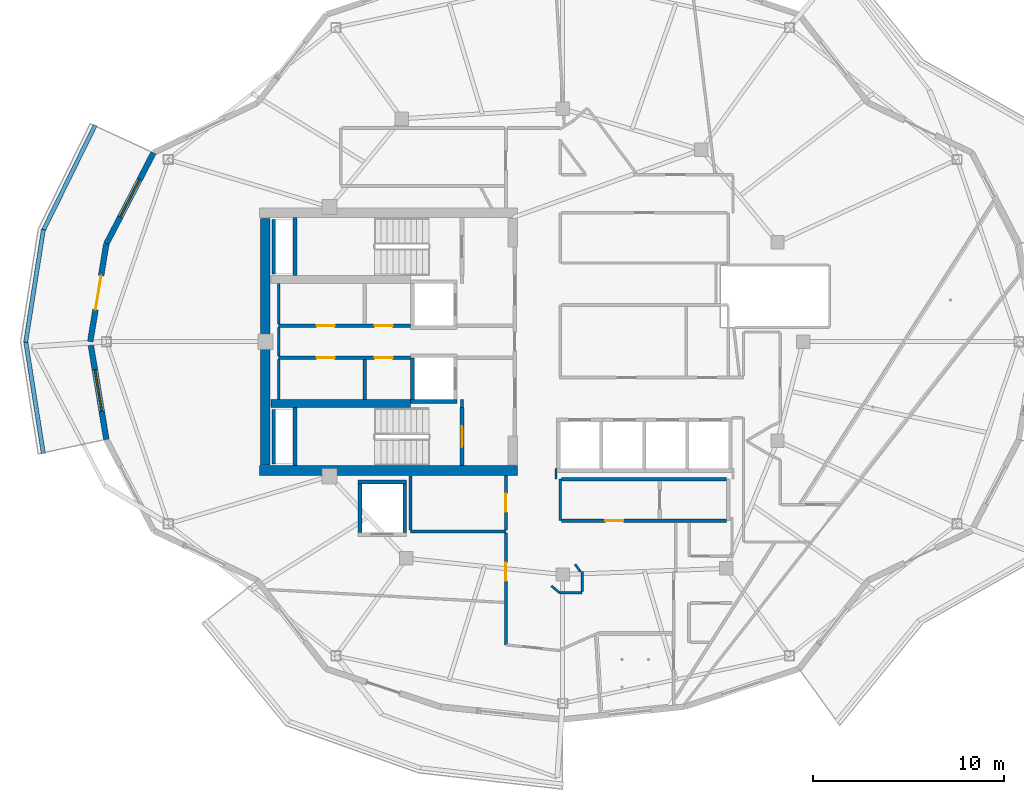
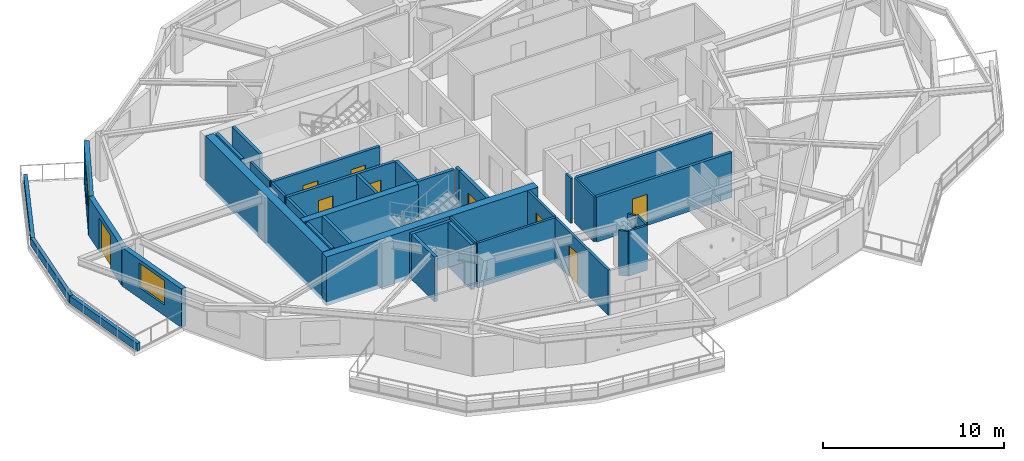
# One storey, part 3 of 14: 38 walls, 9 doors, 2 windows, 11 openings.
"""IFC4 building model written with IfcOpenShell, lengths in metres."""

from ifc_helpers import new_model, si_unit, direction, frame, frame_2d, origin, place, context, subcontext, project, spatial, rectangle, extrude, material, layer, layer_set, type_object, element, fill, save


model = new_model("IFC4")

# Units and contexts
model_context = context("Model", 3, precision=1e-05, world=origin(), true_north=direction((0.0, 1.0)))
body_context = subcontext(model_context, "Body", "Model", "MODEL_VIEW")
ifc_project = project(units=[si_unit("LENGTHUNIT", "METRE"), si_unit("AREAUNIT", "SQUARE_METRE"), si_unit("VOLUMEUNIT", "CUBIC_METRE"), si_unit("PLANEANGLEUNIT", "RADIAN"), si_unit("MASSUNIT", "GRAM", prefix="KILO")], contexts=[model_context])

# Site, building, storey
site_placement = place(None, origin())
site = spatial("IfcSite", under=ifc_project, at=site_placement, CompositionType="ELEMENT")
building_placement = place(site_placement, origin())
building = spatial("IfcBuilding", under=site, at=building_placement, Name="Kolvaren Gate Tower and Convention Centre", CompositionType="ELEMENT")
storey_placement = place(building_placement, frame((0.0, 0.0, 209.60009765625)))
storey = spatial("IfcBuildingStorey", under=building, at=storey_placement, Name="L55", CompositionType="ELEMENT", Elevation=209.60009765625)

# Wall
ifc_material_1 = material(Name="Autoclaved Aerated Masonry Blockwork Class 4 (4.0 MPa)", Category="masonry")
ifc_layer_1 = layer(ifc_material_1, 0.179931640625)
ifc_layer_set_1 = layer_set([ifc_layer_1], Name="Autoclaved Aerated Masonry Blockwork Class 4 (4.0 MPa)")
wall_type_1 = type_object("IfcWallType", Name="ARCH-WL-COMP-180", PredefinedType="SOLIDWALL", material=ifc_layer_set_1)
wall_1_placement = place(storey_placement, frame((24.85009765625, 23.5400390625, 0.0), z_axis=(0.0, 0.0, 1.0), x_axis=(0.0, 1.0, 0.0)))
element("IfcWall", 1, at=wall_1_placement, inside=storey, type_object=wall_type_1, Name="Interior Partition WL-L55-INT-001", PredefinedType="SOLIDWALL", context=body_context, shape_type="SweptSolid", body=[
    extrude(rectangle(XDim=0.419921875, YDim=0.179931640625, at=frame_2d((0.2099609375, 0.0))), origin(), (0.0, 0.0, 1.0), 3.02978515625),
])

# Wall, openings, doors
wall_2_placement = place(storey_placement, frame((15.25, 27.840087890625, 0.0), z_axis=(0.0, 0.0, 1.0), x_axis=(1.0, 0.0, 0.0)))
wall_2 = element("IfcWall", 2, at=wall_2_placement, inside=storey, type_object=wall_type_1, Name="Interior Partition WL-L55-INT-004", PredefinedType="SOLIDWALL", context=body_context, shape_type="SweptSolid", body=[
    extrude(rectangle(XDim=6.89990234375, YDim=0.179931640625, at=frame_2d((3.449951171875, 0.0))), origin(), (0.0, 0.0, 1.0), 3.02978515625),
])
opening_1_placement = place(wall_2_placement, frame((5.02001953125, 0.0, 0.0)))
opening_1 = element("IfcOpeningElement", 3, at=opening_1_placement, cuts=wall_2, Name="Opening DR-01", PredefinedType="OPENING", context=body_context, shape_type="SweptSolid", body=[
    extrude(rectangle(XDim=0.949951171875, YDim=2.10009765625, at=frame_2d((0.47509765625, 1.050048828125))), frame((0.0, 0.099853515625, 0.0), z_axis=(0.0, -1.0, 0.0), x_axis=(1.0, 0.0, 0.0)), (0.0, 0.0, 1.0), 0.199951171875),
])
opening_2_placement = place(wall_2_placement, frame((1.97998046875, 0.0, 0.0)))
opening_2 = element("IfcOpeningElement", 4, at=opening_2_placement, cuts=wall_2, Name="Opening DR-01", PredefinedType="OPENING", context=body_context, shape_type="SweptSolid", body=[
    extrude(rectangle(XDim=0.949951171875, YDim=2.10009765625, at=frame_2d((0.47509765625, 1.050048828125))), frame((0.0, 0.099853515625, 0.0), z_axis=(0.0, -1.0, 0.0), x_axis=(1.0, 0.0, 0.0)), (0.0, 0.0, 1.0), 0.199951171875),
])
ifc_material_2 = material(Name="Painted Architectural Steelwork ASTM A500 Grade C 345 MPa", Category="steel")
door_type_1 = type_object("IfcDoorType", Name="ARCH-DR-RISER-950", OperationType="SINGLE_SWING_RIGHT", PredefinedType="DOOR", material=ifc_material_2)
door_1_placement = place(opening_1_placement, origin())
door_1 = element("IfcDoor", 5, at=door_1_placement, inside=storey, type_object=door_type_1, Name="Electrical Switchgear Closet Door", OperationType="SINGLE_SWING_LEFT", OverallHeight=2.10009765625, OverallWidth=0.949951171875, PredefinedType="DOOR", context=body_context, shape_type="SweptSolid", body=[
    extrude(rectangle(XDim=0.949951171875, YDim=2.10009765625, at=frame_2d((0.47509765625, 1.050048828125))), frame((0.0, 0.02490234375, 0.0), z_axis=(0.0, -1.0, 0.0), x_axis=(1.0, 0.0, 0.0)), (0.0, 0.0, 1.0), 0.050048828125),
])
fill(opening_1, door_1)
door_2_placement = place(opening_2_placement, origin())
door_2 = element("IfcDoor", 6, at=door_2_placement, inside=storey, type_object=door_type_1, Name="Staff Powder Washroom Door", OperationType="SINGLE_SWING_LEFT", OverallHeight=2.10009765625, OverallWidth=0.949951171875, PredefinedType="DOOR", context=body_context, shape_type="SweptSolid", body=[
    extrude(rectangle(XDim=0.949951171875, YDim=2.10009765625, at=frame_2d((0.47509765625, 1.050048828125))), frame((0.0, 0.02490234375, 0.0), z_axis=(0.0, -1.0, 0.0), x_axis=(1.0, 0.0, 0.0)), (0.0, 0.0, 1.0), 0.050048828125),
])
fill(opening_2, door_2)

wall_3_placement = place(storey_placement, frame((15.25, 26.159912109375, 0.0), z_axis=(0.0, 0.0, 1.0), x_axis=(1.0, 0.0, 0.0)))
wall_3 = element("IfcWall", 7, at=wall_3_placement, inside=storey, type_object=wall_type_1, Name="Interior Partition WL-L55-INT-005", PredefinedType="SOLIDWALL", context=body_context, shape_type="SweptSolid", body=[
    extrude(rectangle(XDim=6.89990234375, YDim=0.179931640625, at=frame_2d((3.449951171875, 0.0))), origin(), (0.0, 0.0, 1.0), 3.02978515625),
])
opening_3_placement = place(wall_3_placement, frame((5.02001953125, 0.0, 0.0)))
opening_3 = element("IfcOpeningElement", 8, at=opening_3_placement, cuts=wall_3, Name="Opening DR-01", PredefinedType="OPENING", context=body_context, shape_type="SweptSolid", body=[
    extrude(rectangle(XDim=0.949951171875, YDim=2.10009765625, at=frame_2d((0.47509765625, 1.050048828125))), frame((0.0, 0.099853515625, 0.0), z_axis=(0.0, -1.0, 0.0), x_axis=(1.0, 0.0, 0.0)), (0.0, 0.0, 1.0), 0.199951171875),
])
opening_4_placement = place(wall_3_placement, frame((1.97998046875, 0.0, 0.0)))
opening_4 = element("IfcOpeningElement", 9, at=opening_4_placement, cuts=wall_3, Name="Opening DR-01", PredefinedType="OPENING", context=body_context, shape_type="SweptSolid", body=[
    extrude(rectangle(XDim=0.949951171875, YDim=2.10009765625, at=frame_2d((0.47509765625, 1.050048828125))), frame((0.0, 0.099853515625, 0.0), z_axis=(0.0, -1.0, 0.0), x_axis=(1.0, 0.0, 0.0)), (0.0, 0.0, 1.0), 0.199951171875),
])
door_3_placement = place(opening_3_placement, origin())
door_3 = element("IfcDoor", 10, at=door_3_placement, inside=storey, type_object=door_type_1, Name="Domestic Water Meter Closet Door", OperationType="SINGLE_SWING_RIGHT", OverallHeight=2.10009765625, OverallWidth=0.949951171875, PredefinedType="DOOR", context=body_context, shape_type="SweptSolid", body=[
    extrude(rectangle(XDim=0.949951171875, YDim=2.10009765625, at=frame_2d((0.47509765625, 1.050048828125))), frame((0.0, 0.02490234375, 0.0), z_axis=(0.0, -1.0, 0.0), x_axis=(1.0, 0.0, 0.0)), (0.0, 0.0, 1.0), 0.050048828125),
])
fill(opening_3, door_3)
door_4_placement = place(opening_4_placement, origin())
door_4 = element("IfcDoor", 11, at=door_4_placement, inside=storey, type_object=door_type_1, Name="Janitor Equipment Store Door", OperationType="SINGLE_SWING_RIGHT", OverallHeight=2.10009765625, OverallWidth=0.949951171875, PredefinedType="DOOR", context=body_context, shape_type="SweptSolid", body=[
    extrude(rectangle(XDim=0.949951171875, YDim=2.10009765625, at=frame_2d((0.47509765625, 1.050048828125))), frame((0.0, 0.02490234375, 0.0), z_axis=(0.0, -1.0, 0.0), x_axis=(1.0, 0.0, 0.0)), (0.0, 0.0, 1.0), 0.050048828125),
])
fill(opening_4, door_4)

# Wall
wall_4_placement = place(storey_placement, frame((19.75, 23.9619140625, 0.0), z_axis=(0.0, 0.0, 1.0), x_axis=(0.0, 1.0, 0.0)))
element("IfcWall", 12, at=wall_4_placement, inside=storey, type_object=wall_type_1, Name="Interior Partition WL-L55-INT-007", PredefinedType="SOLIDWALL", context=body_context, shape_type="SweptSolid", body=[
    extrude(rectangle(XDim=2.106201171875, YDim=0.179931640625, at=frame_2d((1.05322265625, 0.0))), origin(), (0.0, 0.0, 1.0), 3.02978515625),
])

# Wall, opening, door
wall_5_placement = place(storey_placement, frame((30.06201171875, 17.6201171875, 0.0), z_axis=(0.0, 0.0, 1.0), x_axis=(1.0, 0.0, 0.0)))
wall_5 = element("IfcWall", 13, at=wall_5_placement, inside=storey, type_object=wall_type_1, Name="Interior Partition WL-L55-INT-025", PredefinedType="SOLIDWALL", context=body_context, shape_type="SweptSolid", body=[
    extrude(rectangle(XDim=8.64599609375, YDim=0.179931640625, at=frame_2d((4.322998046875, 0.0))), origin(), (0.0, 0.0, 1.0), 3.02978515625),
])
opening_5_placement = place(wall_5_placement, frame((2.299072265625, 0.0, 0.0)))
opening_5 = element("IfcOpeningElement", 14, at=opening_5_placement, cuts=wall_5, Name="Opening DR-01", PredefinedType="OPENING", context=body_context, shape_type="SweptSolid", body=[
    extrude(rectangle(XDim=0.949951171875, YDim=2.10009765625, at=frame_2d((0.47509765625, 1.050048828125))), frame((0.0, 0.099853515625, 0.0), z_axis=(0.0, -1.0, 0.0), x_axis=(1.0, 0.0, 0.0)), (0.0, 0.0, 1.0), 0.199951171875),
])
door_5_placement = place(opening_5_placement, origin())
door_5 = element("IfcDoor", 15, at=door_5_placement, inside=storey, type_object=door_type_1, Name="Resident Quiet Library Door", OperationType="SINGLE_SWING_LEFT", OverallHeight=2.10009765625, OverallWidth=0.949951171875, PredefinedType="DOOR", context=body_context, shape_type="SweptSolid", body=[
    extrude(rectangle(XDim=0.949951171875, YDim=2.10009765625, at=frame_2d((0.47509765625, 1.050048828125))), frame((0.0, 0.02490234375, 0.0), z_axis=(0.0, -1.0, 0.0), x_axis=(1.0, 0.0, 0.0)), (0.0, 0.0, 1.0), 0.050048828125),
])
fill(opening_5, door_5)

# Walls
wall_6_placement = place(storey_placement, frame((30.06201171875, 19.800048828125, 0.0), z_axis=(0.0, 0.0, 1.0), x_axis=(1.0, 0.0, 0.0)))
element("IfcWall", 16, at=wall_6_placement, inside=storey, type_object=wall_type_1, Name="Interior Partition WL-L55-INT-026", PredefinedType="SOLIDWALL", context=body_context, shape_type="SweptSolid", body=[
    extrude(rectangle(XDim=8.64599609375, YDim=0.179931640625, at=frame_2d((4.322998046875, 0.0))), origin(), (0.0, 0.0, 1.0), 3.02978515625),
])
ifc_material_3 = material(Name="Fire-Rated Acoustic Gypsum Stud Partition", Category="gypsum")
ifc_layer_2 = layer(ifc_material_3, 0.1201171875)
ifc_layer_set_2 = layer_set([ifc_layer_2], Name="Fire-Rated Acoustic Gypsum Stud Partition")
wall_type_2 = type_object("IfcWallType", Name="ARCH-WL-PART-120", PredefinedType="PARTITIONING", material=ifc_layer_set_2)
wall_7_placement = place(storey_placement, frame((30.0, 17.6201171875, 0.0), z_axis=(0.0, 0.0, 1.0), x_axis=(0.0, 1.0, 0.0)))
element("IfcWall", 17, at=wall_7_placement, inside=storey, type_object=wall_type_2, Name="Interior Partition WL-L55-INT-014", PredefinedType="PARTITIONING", context=body_context, shape_type="SweptSolid", body=[
    extrude(rectangle(XDim=2.179931640625, YDim=0.1201171875, at=frame_2d((1.08984375, 0.0))), origin(), (0.0, 0.0, 1.0), 3.02978515625),
])
wall_8_placement = place(storey_placement, frame((29.780029296875, 19.800048828125, 0.0), z_axis=(0.0, 0.0, 1.0), x_axis=(0.0, 1.0, 0.0)))
element("IfcWall", 18, at=wall_8_placement, inside=storey, type_object=wall_type_2, Name="Interior Partition WL-L55-INT-052", PredefinedType="PARTITIONING", context=body_context, shape_type="SweptSolid", body=[
    extrude(rectangle(XDim=0.56005859375, YDim=0.1201171875, at=frame_2d((0.280029296875, 0.0))), origin(), (0.0, 0.0, 1.0), 3.02978515625),
])
wall_9_placement = place(storey_placement, frame((29.9599609375, 13.85009765625, 0.0), z_axis=(0.0, 0.0, 1.0), x_axis=(1.0, 0.0, 0.0)))
element("IfcWall", 19, at=wall_9_placement, inside=storey, type_object=wall_type_2, Name="Interior Partition WL-L55-INT-059", PredefinedType="PARTITIONING", context=body_context, shape_type="SweptSolid", body=[
    extrude(rectangle(XDim=1.18994140625, YDim=0.1201171875, at=frame_2d((0.594970703125, 0.0))), origin(), (0.0, 0.0, 1.0), 3.02978515625),
])
wall_10_placement = place(storey_placement, frame((31.14990234375, 13.912109375, 0.0), z_axis=(0.0, 0.0, 1.0), x_axis=(0.0, 1.0, 0.0)))
element("IfcWall", 20, at=wall_10_placement, inside=storey, type_object=wall_type_2, Name="Interior Partition WL-L55-INT-060", PredefinedType="PARTITIONING", context=body_context, shape_type="SweptSolid", body=[
    extrude(rectangle(XDim=1.037841796875, YDim=0.1201171875, at=frame_2d((0.51904296875, 0.0))), origin(), (0.0, 0.0, 1.0), 3.02978515625),
])
wall_11_placement = place(storey_placement, frame((30.77392578125, 15.3330078125, 0.0), z_axis=(0.0, 0.0, 1.0), x_axis=(0.595814974861, -0.803121731577, 0.0)))
element("IfcWall", 21, at=wall_11_placement, inside=storey, type_object=wall_type_2, Name="Interior Partition WL-L55-INT-061", PredefinedType="PARTITIONING", context=body_context, shape_type="SweptSolid", body=[
    extrude(rectangle(XDim=0.47705078125, YDim=0.1201171875, at=frame_2d((0.238525390625, 0.0))), origin(), (0.0, 0.0, 1.0), 3.02978515625),
])
wall_12_placement = place(storey_placement, frame((29.531005859375, 14.2060546875, 0.0), z_axis=(0.0, 0.0, 1.0), x_axis=(0.7695479554, -0.638589026166, 0.0)))
element("IfcWall", 22, at=wall_12_placement, inside=storey, type_object=wall_type_2, Name="Interior Partition WL-L55-INT-062", PredefinedType="PARTITIONING", context=body_context, shape_type="SweptSolid", body=[
    extrude(rectangle(XDim=0.557373046875, YDim=0.1201171875, at=frame_2d((0.27880859375, 0.0))), origin(), (0.0, 0.0, 1.0), 3.02978515625),
])
ifc_material_4 = material(Name="Piedmont Cream Honed Limestone Cladding", Category="masonry")
ifc_layer_3 = layer(ifc_material_4, 0.219970703125)
ifc_layer_set_3 = layer_set([ifc_layer_3], Name="Piedmont Cream Honed Limestone Cladding")
wall_type_3 = type_object("IfcWallType", Name="ARCH-WL-PLANTER-220", PredefinedType="PARAPET", material=ifc_layer_set_3)
wall_13_placement = place(storey_placement, frame((2.905517578125, 32.8037109375, 0.0), z_axis=(0.0, 0.0, 1.0), x_axis=(0.441640961804, 0.897191875162, 0.0)))
element("IfcWall", 23, at=wall_13_placement, inside=storey, type_object=wall_type_3, Name="Vertical-Forest Balcony Stone Planter Kerb PK-L55-2.1", PredefinedType="PARAPET", context=body_context, shape_type="SweptSolid", body=[
    extrude(rectangle(XDim=6.17822265625, YDim=0.219970703125, at=frame_2d((3.089111328125, 0.0))), origin(), (0.0, 0.0, 1.0), 0.52001953125),
])
for number, where, z_axis, x_axis, name in (
    (24, (1.993408203125, 26.970703125, 0.0), (0.0, 0.0, 1.0), (0.1550711793, 0.987903299595, 0.0), "Vertical-Forest Balcony Stone Planter Kerb PK-L55-2.2"),
    (25, (1.993408203125, 27.029296875, 0.0), (0.0, 0.0, 1.0), (0.1550711793, -0.987903299595, 0.0), "Vertical-Forest Balcony Stone Planter Kerb PK-L55-2.3"),
):
    element("IfcWall", number, at=place(storey_placement, frame(where, z_axis=z_axis, x_axis=x_axis)), inside=storey, type_object=wall_type_3, Name=name, PredefinedType="PARAPET", context=body_context, shape_type="SweptSolid", body=[
        extrude(rectangle(XDim=5.963623046875, YDim=0.219970703125, at=frame_2d((2.98193359375, 0.0))), origin(), (0.0, 0.0, 1.0), 0.52001953125),
    ])
ifc_layer_4 = layer(ifc_material_1, 0.199951171875)
ifc_layer_set_4 = layer_set([ifc_layer_4], Name="Autoclaved Aerated Masonry Blockwork Class 4 (4.0 MPa)")
wall_type_4 = type_object("IfcWallType", Name="ARCH-WL-SHAFT-200", PredefinedType="SOLIDWALL", material=ifc_layer_set_4)
wall_14_placement = place(storey_placement, frame((22.14990234375, 23.860107421875, 0.0), z_axis=(0.0, 0.0, 1.0), x_axis=(1.0, 0.0, 0.0)))
element("IfcWall", 26, at=wall_14_placement, inside=storey, type_object=wall_type_4, Name="Elevator FF-02 L55 Fire Shaft Wall S", PredefinedType="SOLIDWALL", context=body_context, shape_type="SweptSolid", body=[
    extrude(rectangle(XDim=2.4501953125, YDim=0.199951171875, at=frame_2d((1.22509765625, 0.0))), origin(), (0.0, 0.0, 1.0), 3.02978515625),
])
wall_15_placement = place(storey_placement, frame((22.25, 23.969970703125, 0.0), z_axis=(0.0, 0.0, 1.0), x_axis=(0.0, 1.0, 0.0)))
element("IfcWall", 27, at=wall_15_placement, inside=storey, type_object=wall_type_4, Name="Elevator FF-02 L55 Fire Shaft Wall W", PredefinedType="SOLIDWALL", context=body_context, shape_type="SweptSolid", body=[
    extrude(rectangle(XDim=2.179931640625, YDim=0.199951171875, at=frame_2d((1.08984375, 0.0))), origin(), (0.0, 0.0, 1.0), 3.02978515625),
])
wall_16_placement = place(storey_placement, frame((19.39990234375, 19.64990234375, 0.0), z_axis=(0.0, 0.0, 1.0), x_axis=(1.0, 0.0, 0.0)))
element("IfcWall", 28, at=wall_16_placement, inside=storey, type_object=wall_type_4, Name="Elevator SV-01 L55 Fire Shaft Wall N", PredefinedType="SOLIDWALL", context=body_context, shape_type="SweptSolid", body=[
    extrude(rectangle(XDim=2.550048828125, YDim=0.199951171875, at=frame_2d((1.27490234375, 0.0))), origin(), (0.0, 0.0, 1.0), 3.02978515625),
])
for number, where, z_axis, x_axis, name in (
    (29, (19.5, 17.010009765625, 0.0), (0.0, 0.0, 1.0), (0.0, 1.0, 0.0), "Elevator SV-01 L55 Fire Shaft Wall W"),
    (30, (21.85009765625, 17.010009765625, 0.0), (0.0, 0.0, 1.0), (0.0, 1.0, 0.0), "Elevator SV-01 L55 Fire Shaft Wall E"),
):
    element("IfcWall", number, at=place(storey_placement, frame(where, z_axis=z_axis, x_axis=x_axis)), inside=storey, type_object=wall_type_4, Name=name, PredefinedType="SOLIDWALL", context=body_context, shape_type="SweptSolid", body=[
        extrude(rectangle(XDim=2.530029296875, YDim=0.199951171875, at=frame_2d((1.26513671875, 0.0))), origin(), (0.0, 0.0, 1.0), 3.02978515625),
    ])
for number, where, z_axis, x_axis, name in (
    (31, (14.989990234375, 30.550048828125, 0.0), (0.0, 0.0, 1.0), (0.0, 1.0, 0.0), "Vertical Shaft HVR L55 EI-120 Enclosure Wall W"),
    (32, (14.989990234375, 20.60009765625, 0.0), (0.0, 0.0, 1.0), (0.0, 1.0, 0.0), "Vertical Shaft MPR L55 EI-120 Enclosure Wall W"),
):
    element("IfcWall", number, at=place(storey_placement, frame(where, z_axis=z_axis, x_axis=x_axis)), inside=storey, type_object=wall_type_4, Name=name, PredefinedType="SOLIDWALL", context=body_context, shape_type="SweptSolid", body=[
        extrude(rectangle(XDim=2.849853515625, YDim=0.199951171875, at=frame_2d((1.4248046875, 0.0))), origin(), (0.0, 0.0, 1.0), 3.02978515625),
    ])

# Wall, opening, window
ifc_layer_5 = layer(ifc_material_4, 0.300048828125)
ifc_layer_set_5 = layer_set([ifc_layer_5], Name="Piedmont Cream Honed Limestone Cladding")
wall_type_5 = type_object("IfcWallType", Name="ARCH-WL-STONE-300", PredefinedType="SOLIDWALL", material=ifc_layer_set_5)
wall_17_placement = place(storey_placement, frame((6.21826171875, 32.12451171875, 0.0), z_axis=(0.0, 0.0, 1.0), x_axis=(0.459808219482, 0.888018243786, 0.0)))
wall_17 = element("IfcWall", 33, at=wall_17_placement, inside=storey, type_object=wall_type_5, Name="Tower L55 Honed Stone Spandrel Wall EW-10", PredefinedType="SOLIDWALL", context=body_context, shape_type="SweptSolid", body=[
    extrude(rectangle(XDim=5.377685546875, YDim=0.300048828125, at=frame_2d((2.68896484375, 0.0))), origin(), (0.0, 0.0, 1.0), 2.60498046875),
])
opening_6_placement = place(wall_17_placement, frame((1.589111328125, 0.0, 0.719970703125)))
opening_6 = element("IfcOpeningElement", 34, at=opening_6_placement, cuts=wall_17, Name="Opening W-03", PredefinedType="OPENING", context=body_context, shape_type="SweptSolid", body=[
    extrude(rectangle(XDim=2.199951171875, YDim=1.64990234375, at=frame_2d((1.10009765625, 0.824951171875))), frame((0.0, 0.159912109375, 0.0), z_axis=(0.0, -1.0, 0.0), x_axis=(1.0, 0.0, 0.0)), (0.0, 0.0, 1.0), 0.320068359375),
])
ifc_material_5 = material(Name="Low-E Triple Insulated Glazing Unit 44 mm", Category="glass")
window_type = type_object("IfcWindowType", Name="ARCH-WN-RES-2200", PartitioningType="SINGLE_PANEL", PredefinedType="WINDOW", material=ifc_material_5)
window_1_placement = place(opening_6_placement, origin())
window_1 = element("IfcWindow", 35, at=window_1_placement, inside=storey, type_object=window_type, Name="Tower L55 Punched Stone Facade Window W-10", OverallHeight=1.64990234375, OverallWidth=2.199951171875, PartitioningType="SINGLE_PANEL", PredefinedType="WINDOW", context=body_context, shape_type="SweptSolid", body=[
    extrude(rectangle(XDim=2.199951171875, YDim=1.64990234375, at=frame_2d((1.10009765625, 0.824951171875))), frame((0.0, 0.030029296875, 0.0), z_axis=(0.0, -1.0, 0.0), x_axis=(1.0, 0.0, 0.0)), (0.0, 0.0, 1.0), 0.06005859375),
])
fill(opening_6, window_1)

# Wall, opening, door
wall_18_placement = place(storey_placement, frame((5.375, 27.0, 0.0), z_axis=(0.0, 0.0, 1.0), x_axis=(0.16237087798, 0.986729799886, 0.0)))
wall_18 = element("IfcWall", 36, at=wall_18_placement, inside=storey, type_object=wall_type_5, Name="Tower L55 Honed Stone Spandrel Wall EW-11", PredefinedType="SOLIDWALL", context=body_context, shape_type="SweptSolid", body=[
    extrude(rectangle(XDim=5.193359375, YDim=0.300048828125, at=frame_2d((2.5966796875, 0.0))), origin(), (0.0, 0.0, 1.0), 2.60498046875),
])
opening_7_placement = place(wall_18_placement, frame((1.697021484375, 0.0, 0.0)))
opening_7 = element("IfcOpeningElement", 37, at=opening_7_placement, cuts=wall_18, Name="Opening DB-01", PredefinedType="OPENING", context=body_context, shape_type="SweptSolid", body=[
    extrude(rectangle(XDim=1.800048828125, YDim=2.25, at=frame_2d((0.89990234375, 1.125))), frame((0.0, 0.159912109375, 0.0), z_axis=(0.0, -1.0, 0.0), x_axis=(1.0, 0.0, 0.0)), (0.0, 0.0, 1.0), 0.320068359375),
])
ifc_material_6 = material(Name="Anodized Architectural Aluminium Alloy 6063-T6", Category="aluminium")
door_type_2 = type_object("IfcDoorType", Name="ARCH-DR-BALC-1800", OperationType="SLIDING_TO_LEFT", PredefinedType="DOOR", material=ifc_material_6)
door_6_placement = place(opening_7_placement, origin())
door_6 = element("IfcDoor", 38, at=door_6_placement, inside=storey, type_object=door_type_2, Name="Planted Sky Terrace Access Door DB-L55-11", OperationType="SLIDING_TO_LEFT", OverallHeight=2.25, OverallWidth=1.800048828125, PredefinedType="DOOR", context=body_context, shape_type="SweptSolid", body=[
    extrude(rectangle(XDim=1.800048828125, YDim=2.25, at=frame_2d((0.89990234375, 1.125))), frame((0.0, 0.02490234375, 0.0), z_axis=(0.0, -1.0, 0.0), x_axis=(1.0, 0.0, 0.0)), (0.0, 0.0, 1.0), 0.050048828125),
])
fill(opening_7, door_6)

# Wall, opening, window
wall_19_placement = place(storey_placement, frame((5.375, 27.0, 0.0), z_axis=(0.0, 0.0, 1.0), x_axis=(0.16237087798, -0.986729799886, 0.0)))
wall_19 = element("IfcWall", 39, at=wall_19_placement, inside=storey, type_object=wall_type_5, Name="Tower L55 Honed Stone Spandrel Wall EW-12", PredefinedType="SOLIDWALL", context=body_context, shape_type="SweptSolid", body=[
    extrude(rectangle(XDim=5.193359375, YDim=0.300048828125, at=frame_2d((2.5966796875, 0.0))), origin(), (0.0, 0.0, 1.0), 2.60498046875),
])
opening_8_placement = place(wall_19_placement, frame((1.4970703125, 0.0, 0.719970703125)))
opening_8 = element("IfcOpeningElement", 40, at=opening_8_placement, cuts=wall_19, Name="Opening W-03", PredefinedType="OPENING", context=body_context, shape_type="SweptSolid", body=[
    extrude(rectangle(XDim=2.199951171875, YDim=1.64990234375, at=frame_2d((1.10009765625, 0.824951171875))), frame((0.0, 0.159912109375, 0.0), z_axis=(0.0, -1.0, 0.0), x_axis=(1.0, 0.0, 0.0)), (0.0, 0.0, 1.0), 0.320068359375),
])
window_2_placement = place(opening_8_placement, origin())
window_2 = element("IfcWindow", 41, at=window_2_placement, inside=storey, type_object=window_type, Name="Tower L55 Punched Stone Facade Window W-12", OverallHeight=1.64990234375, OverallWidth=2.199951171875, PartitioningType="SINGLE_PANEL", PredefinedType="WINDOW", context=body_context, shape_type="SweptSolid", body=[
    extrude(rectangle(XDim=2.199951171875, YDim=1.64990234375, at=frame_2d((1.10009765625, 0.824951171875))), frame((0.0, 0.030029296875, 0.0), z_axis=(0.0, -1.0, 0.0), x_axis=(1.0, 0.0, 0.0)), (0.0, 0.0, 1.0), 0.06005859375),
])
fill(opening_8, window_2)

# Walls
ifc_material_7 = material(Name="Moisture-Resistant Cement-Board Acoustic Partition", Category="gypsum")
ifc_layer_6 = layer(ifc_material_7, 0.14990234375)
ifc_layer_set_6 = layer_set([ifc_layer_6], Name="Moisture-Resistant Cement-Board Acoustic Partition")
wall_type_6 = type_object("IfcWallType", Name="ARCH-WL-WET-150", PredefinedType="PARTITIONING", material=ifc_layer_set_6)
wall_20_placement = place(storey_placement, frame((15.25, 23.9619140625, 0.0), z_axis=(0.0, 0.0, 1.0), x_axis=(0.0, 1.0, 0.0)))
element("IfcWall", 42, at=wall_20_placement, inside=storey, type_object=wall_type_6, Name="Interior Partition WL-L55-INT-006", PredefinedType="PARTITIONING", context=body_context, shape_type="SweptSolid", body=[
    extrude(rectangle(XDim=2.106201171875, YDim=0.14990234375, at=frame_2d((1.05322265625, 0.0))), origin(), (0.0, 0.0, 1.0), 3.02978515625),
])
wall_21_placement = place(storey_placement, frame((15.25, 26.251953125, 0.0), z_axis=(0.0, 0.0, 1.0), x_axis=(0.0, 1.0, 0.0)))
element("IfcWall", 43, at=wall_21_placement, inside=storey, type_object=wall_type_6, Name="Interior Partition WL-L55-INT-006 (2)", PredefinedType="PARTITIONING", context=body_context, shape_type="SweptSolid", body=[
    extrude(rectangle(XDim=1.49609375, YDim=0.14990234375, at=frame_2d((0.748046875, 0.0))), origin(), (0.0, 0.0, 1.0), 3.02978515625),
])
wall_22_placement = place(storey_placement, frame((15.25, 27.931884765625, 0.0), z_axis=(0.0, 0.0, 1.0), x_axis=(0.0, 1.0, 0.0)))
element("IfcWall", 44, at=wall_22_placement, inside=storey, type_object=wall_type_6, Name="Interior Partition WL-L55-INT-006 (3)", PredefinedType="PARTITIONING", context=body_context, shape_type="SweptSolid", body=[
    extrude(rectangle(XDim=2.106201171875, YDim=0.14990234375, at=frame_2d((1.05322265625, 0.0))), origin(), (0.0, 0.0, 1.0), 3.02978515625),
])
wall_23_placement = place(storey_placement, frame((22.14990234375, 17.050048828125, 0.0), z_axis=(0.0, 0.0, 1.0), x_axis=(1.0, 0.0, 0.0)))
element("IfcWall", 45, at=wall_23_placement, inside=storey, type_object=wall_type_6, Name="Interior Partition WL-L55-INT-009", PredefinedType="PARTITIONING", context=body_context, shape_type="SweptSolid", body=[
    extrude(rectangle(XDim=5.0, YDim=0.14990234375, at=frame_2d((2.5, 0.0))), origin(), (0.0, 0.0, 1.0), 3.02978515625),
])
wall_24_placement = place(storey_placement, frame((22.14990234375, 17.126953125, 0.0), z_axis=(0.0, 0.0, 1.0), x_axis=(0.0, 1.0, 0.0)))
element("IfcWall", 46, at=wall_24_placement, inside=storey, type_object=wall_type_6, Name="Interior Partition WL-L55-INT-010", PredefinedType="PARTITIONING", context=body_context, shape_type="SweptSolid", body=[
    extrude(rectangle(XDim=2.822998046875, YDim=0.14990234375, at=frame_2d((1.41162109375, 0.0))), origin(), (0.0, 0.0, 1.0), 3.02978515625),
])

# Wall, opening, door
wall_25_placement = place(storey_placement, frame((27.14990234375, 11.113037109375, 0.0), z_axis=(0.0, 0.0, 1.0), x_axis=(0.0, 1.0, 0.0)))
wall_25 = element("IfcWall", 47, at=wall_25_placement, inside=storey, type_object=wall_type_6, Name="Interior Partition WL-L55-INT-011", PredefinedType="PARTITIONING", context=body_context, shape_type="SweptSolid", body=[
    extrude(rectangle(XDim=5.85986328125, YDim=0.14990234375, at=frame_2d((2.929931640625, 0.0))), origin(), (0.0, 0.0, 1.0), 3.02978515625),
])
opening_9_placement = place(wall_25_placement, frame((3.359375, 0.0, 0.0)))
opening_9 = element("IfcOpeningElement", 48, at=opening_9_placement, cuts=wall_25, Name="Opening DR-01", PredefinedType="OPENING", context=body_context, shape_type="SweptSolid", body=[
    extrude(rectangle(XDim=0.949951171875, YDim=2.10009765625, at=frame_2d((0.47509765625, 1.050048828125))), frame((0.0, 0.0849609375, 0.0), z_axis=(0.0, -1.0, 0.0), x_axis=(1.0, 0.0, 0.0)), (0.0, 0.0, 1.0), 0.169921875),
])
door_7_placement = place(opening_9_placement, origin())
door_7 = element("IfcDoor", 49, at=door_7_placement, inside=storey, type_object=door_type_1, Name="Resident Private Study and Home Office Door", OperationType="SINGLE_SWING_LEFT", OverallHeight=2.10009765625, OverallWidth=0.949951171875, PredefinedType="DOOR", context=body_context, shape_type="SweptSolid", body=[
    extrude(rectangle(XDim=0.949951171875, YDim=2.10009765625, at=frame_2d((0.47509765625, 1.050048828125))), frame((0.0, 0.02490234375, 0.0), z_axis=(0.0, -1.0, 0.0), x_axis=(1.0, 0.0, 0.0)), (0.0, 0.0, 1.0), 0.050048828125),
])
fill(opening_9, door_7)

wall_26_placement = place(storey_placement, frame((27.14990234375, 17.126953125, 0.0), z_axis=(0.0, 0.0, 1.0), x_axis=(0.0, 1.0, 0.0)))
wall_26 = element("IfcWall", 50, at=wall_26_placement, inside=storey, type_object=wall_type_6, Name="Interior Partition WL-L55-INT-011 (2)", PredefinedType="PARTITIONING", context=body_context, shape_type="SweptSolid", body=[
    extrude(rectangle(XDim=2.87109375, YDim=0.14990234375, at=frame_2d((1.435546875, 0.0))), origin(), (0.0, 0.0, 1.0), 3.02978515625),
])
opening_10_placement = place(wall_26_placement, frame((0.96044921875, 0.0, 0.0)))
opening_10 = element("IfcOpeningElement", 51, at=opening_10_placement, cuts=wall_26, Name="Opening DR-01", PredefinedType="OPENING", context=body_context, shape_type="SweptSolid", body=[
    extrude(rectangle(XDim=0.949951171875, YDim=2.10009765625, at=frame_2d((0.47509765625, 1.050048828125))), frame((0.0, 0.0849609375, 0.0), z_axis=(0.0, -1.0, 0.0), x_axis=(1.0, 0.0, 0.0)), (0.0, 0.0, 1.0), 0.169921875),
])
door_8_placement = place(opening_10_placement, origin())
door_8 = element("IfcDoor", 52, at=door_8_placement, inside=storey, type_object=door_type_1, Name="West Linen and Supply Store Door", OperationType="SINGLE_SWING_LEFT", OverallHeight=2.10009765625, OverallWidth=0.949951171875, PredefinedType="DOOR", context=body_context, shape_type="SweptSolid", body=[
    extrude(rectangle(XDim=0.949951171875, YDim=2.10009765625, at=frame_2d((0.47509765625, 1.050048828125))), frame((0.0, 0.02490234375, 0.0), z_axis=(0.0, -1.0, 0.0), x_axis=(1.0, 0.0, 0.0)), (0.0, 0.0, 1.0), 0.050048828125),
])
fill(opening_10, door_8)

# Walls
ifc_material_8 = material(Name="Concrete C50/60", Category="concrete")
ifc_layer_7 = layer(ifc_material_8, 0.419921875)
ifc_layer_set_7 = layer_set([ifc_layer_7], Name="Concrete C50/60")
wall_type_7 = type_object("IfcWallType", Name="STR-WL-CONV-420", PredefinedType="SHEAR", material=ifc_layer_set_7)
wall_27_placement = place(storey_placement, frame((14.85009765625, 23.75, -0.27001953125), z_axis=(0.0, 0.0, 1.0), x_axis=(1.0, 0.0, 0.0)))
element("IfcWall", 53, at=wall_27_placement, inside=storey, type_object=wall_type_7, Name="Tower L55 Offset Core Shear Wall WS", PredefinedType="SHEAR", context=body_context, shape_type="SweptSolid", body=[
    extrude(rectangle(XDim=7.2998046875, YDim=0.419921875, at=frame_2d((3.64990234375, 0.0))), origin(), (0.0, 0.0, 1.0), 3.2998046875),
])
ifc_layer_8 = layer(ifc_material_8, 0.5)
ifc_layer_set_8 = layer_set([ifc_layer_8], Name="Concrete C50/60")
wall_type_8 = type_object("IfcWallType", Name="STR-WL-CORE-500", PredefinedType="SHEAR", material=ifc_layer_set_8)
wall_28_placement = place(storey_placement, frame((14.25, 20.25, -0.27001953125), z_axis=(0.0, 0.0, 1.0), x_axis=(1.0, 0.0, 0.0)))
element("IfcWall", 54, at=wall_28_placement, inside=storey, type_object=wall_type_8, Name="Tower L55 Offset Core Shear Wall S", PredefinedType="SHEAR", context=body_context, shape_type="SweptSolid", body=[
    extrude(rectangle(XDim=13.5, YDim=0.5, at=frame_2d((6.75, 0.0))), origin(), (0.0, 0.0, 1.0), 3.2998046875),
])
wall_29_placement = place(storey_placement, frame((14.550048828125, 20.550048828125, -0.27001953125), z_axis=(0.0, 0.0, 1.0), x_axis=(0.0, 1.0, 0.0)))
element("IfcWall", 55, at=wall_29_placement, inside=storey, type_object=wall_type_8, Name="Tower L55 Offset Core Shear Wall W", PredefinedType="SHEAR", context=body_context, shape_type="SweptSolid", body=[
    extrude(rectangle(XDim=12.89990234375, YDim=0.5, at=frame_2d((6.449951171875, 0.0))), origin(), (0.0, 0.0, 1.0), 3.2998046875),
])
ifc_layer_9 = layer(ifc_material_8, 0.199951171875)
ifc_layer_set_9 = layer_set([ifc_layer_9], Name="Concrete C50/60")
wall_type_9 = type_object("IfcWallType", Name="STR-WL-SHAFT-200", PredefinedType="SHEAR", material=ifc_layer_set_9)
wall_30_placement = place(storey_placement, frame((16.10009765625, 30.4619140625, -0.27001953125), z_axis=(0.0, 0.0, 1.0), x_axis=(0.0, 1.0, 0.0)))
element("IfcWall", 56, at=wall_30_placement, inside=storey, type_object=wall_type_9, Name="Tower North Exit Stair ST-T1 L55 Structural Shear Enclosure Wall FAR", PredefinedType="SHEAR", context=body_context, shape_type="SweptSolid", body=[
    extrude(rectangle(XDim=3.0361328125, YDim=0.199951171875, at=frame_2d((1.51806640625, 0.0))), origin(), (0.0, 0.0, 1.0), 3.2998046875),
])

# Wall, opening, door
wall_31_placement = place(storey_placement, frame((24.85009765625, 20.501953125, -0.27001953125), z_axis=(0.0, 0.0, 1.0), x_axis=(0.0, 1.0, 0.0)))
wall_31 = element("IfcWall", 57, at=wall_31_placement, inside=storey, type_object=wall_type_9, Name="Tower South Exit Stair ST-T2 L55 Structural Shear Enclosure Wall NEAR", PredefinedType="SHEAR", context=body_context, shape_type="SweptSolid", body=[
    extrude(rectangle(XDim=3.0380859375, YDim=0.199951171875, at=frame_2d((1.51904296875, 0.0))), origin(), (0.0, 0.0, 1.0), 3.2998046875),
])
opening_11_placement = place(wall_31_placement, frame((0.968994140625, 0.0, 0.27001953125)))
opening_11 = element("IfcOpeningElement", 58, at=opening_11_placement, cuts=wall_31, Name="Opening DS-01", PredefinedType="OPENING", context=body_context, shape_type="SweptSolid", body=[
    extrude(rectangle(XDim=1.10009765625, YDim=2.14990234375, at=frame_2d((0.550048828125, 1.074951171875))), frame((0.0, 0.10986328125, 0.0), z_axis=(0.0, -1.0, 0.0), x_axis=(1.0, 0.0, 0.0)), (0.0, 0.0, 1.0), 0.219970703125),
])
door_type_3 = type_object("IfcDoorType", Name="ARCH-DR-STAIR-1100", OperationType="SINGLE_SWING_LEFT", PredefinedType="DOOR", material=ifc_material_2)
door_9_placement = place(opening_11_placement, origin())
door_9 = element("IfcDoor", 59, at=door_9_placement, inside=storey, type_object=door_type_3, Name="Tower South Exit Stair ST-T2 L55 Fire Exit Stair Door", OperationType="SINGLE_SWING_LEFT", OverallHeight=2.14990234375, OverallWidth=1.10009765625, PredefinedType="DOOR", context=body_context, shape_type="SweptSolid", body=[
    extrude(rectangle(XDim=1.10009765625, YDim=2.14990234375, at=frame_2d((0.550048828125, 1.074951171875))), frame((0.0, 0.02490234375, 0.0), z_axis=(0.0, -1.0, 0.0), x_axis=(1.0, 0.0, 0.0)), (0.0, 0.0, 1.0), 0.050048828125),
])
fill(opening_11, door_9)

# Wall
wall_32_placement = place(storey_placement, frame((16.10009765625, 20.501953125, -0.27001953125), z_axis=(0.0, 0.0, 1.0), x_axis=(0.0, 1.0, 0.0)))
element("IfcWall", 60, at=wall_32_placement, inside=storey, type_object=wall_type_9, Name="Tower South Exit Stair ST-T2 L55 Structural Shear Enclosure Wall FAR", PredefinedType="SHEAR", context=body_context, shape_type="SweptSolid", body=[
    extrude(rectangle(XDim=3.0361328125, YDim=0.199951171875, at=frame_2d((1.51806640625, 0.0))), origin(), (0.0, 0.0, 1.0), 3.2998046875),
])

save(model, "model.ifc")
